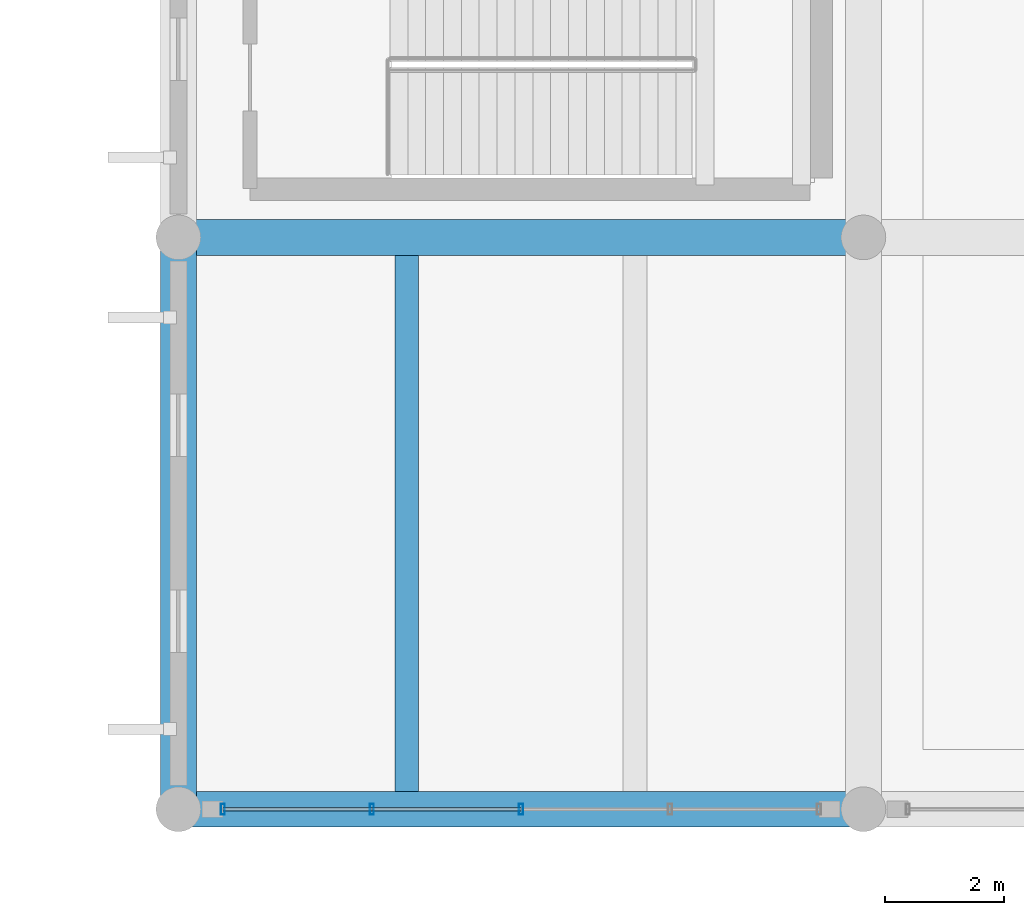
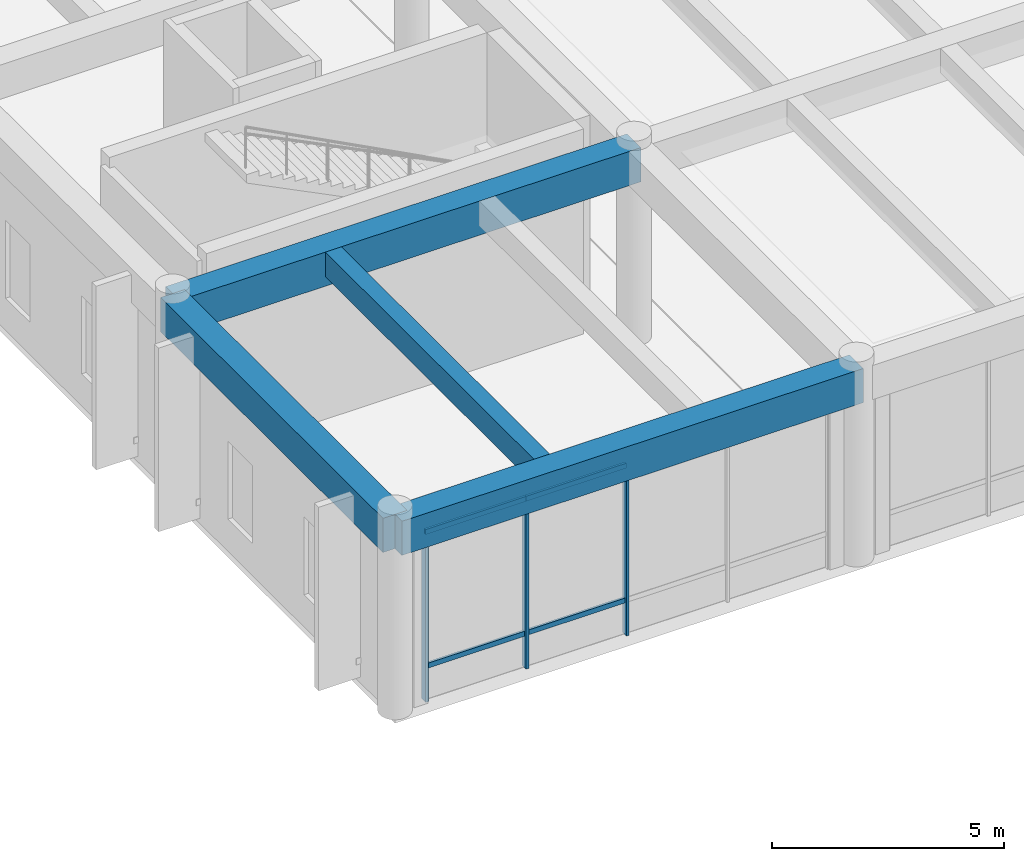
# One storey, part 14 of 148: 7 members, 4 beams, 1 element without a shape of its own.
"""IFC4 building model written with IfcOpenShell, lengths in metres."""

from ifc_helpers import new_model, si_unit, direction, frame, origin, origin_2d, place, context, subcontext, project, spatial, rectangle, hollow_rectangle, extrude, material, material_profile, profile_set, type_object, element, aggregate, save


model = new_model("IFC4")

# Units and contexts
model_context = context("Model", 3, precision=1e-05, world=origin(), true_north=direction((0.0, 1.0)))
body_context = subcontext(model_context, "Body", "Model", "MODEL_VIEW")
ifc_project = project(units=[si_unit("LENGTHUNIT", "METRE"), si_unit("AREAUNIT", "SQUARE_METRE"), si_unit("VOLUMEUNIT", "CUBIC_METRE"), si_unit("PLANEANGLEUNIT", "RADIAN"), si_unit("MASSUNIT", "GRAM", prefix="KILO")], contexts=[model_context])

# Site, building, storey
site_placement = place(None, origin())
site = spatial("IfcSite", under=ifc_project, at=site_placement, CompositionType="ELEMENT")
building_placement = place(site_placement, origin())
building = spatial("IfcBuilding", under=site, at=building_placement, Name="Ologun Quay Terminus", CompositionType="ELEMENT")
storey_placement = place(building_placement, frame((0.0, 0.0, 8.39990234375)))
storey = spatial("IfcBuildingStorey", under=building, at=storey_placement, Name="L02", CompositionType="ELEMENT", Elevation=8.39990234375)

# Curtain wall, members
ifc_material_1 = material(Name="Aluminium 6063-T6", Category="aluminium")
curtain_wall_type = type_object("IfcCurtainWallType", Name="Concourse Departure Curtain Wall 10700x4950", PredefinedType="USERDEFINED", material=ifc_material_1)
curtain_wall_placement = place(storey_placement, origin())
curtain_wall = element("IfcCurtainWall", 1, at=curtain_wall_placement, inside=storey, type_object=curtain_wall_type, Name="CW-05 Curtain Wall CW-L02-024", ObjectType="UNITISED CURTAIN WALL", PredefinedType="USERDEFINED")
ifc_material_2 = material(Name="Aluminium 6063-T6", Category="aluminium")
ifc_material_profile_1 = material_profile(ifc_material_2, hollow_rectangle(XDim=0.070068359375, YDim=0.179931640625, WallThickness=0.0048828125, at=origin_2d()), Name="ALU 180x70x5")
ifc_profile_set_1 = profile_set([ifc_material_profile_1], Name="Aluminium 6063-T6")
member_type_1 = type_object("IfcMemberType", Name="Curtain Wall Heavy Mullion 180x70", PredefinedType="MULLION", material=ifc_profile_set_1)
member_1_placement = place(storey_placement, frame((58.2451171875, 8.0, 0.0), z_axis=(0.0, 0.0, 1.0), x_axis=(1.0, 0.0, 0.0)))
member_1 = element("IfcMember", 2, at=member_1_placement, type_object=member_type_1, Name="CW-L02-024 Mullion 1", PredefinedType="MULLION", context=body_context, shape_type="SweptSolid", body=[
    extrude(hollow_rectangle(XDim=0.070068359375, YDim=0.179931640625, WallThickness=0.0048828125, at=origin_2d()), origin(), (0.0, 0.0, 1.0), 5.14013671875),
])
member_2_placement = place(storey_placement, frame((60.74755859375, 8.0, 0.0), z_axis=(0.0, 0.0, 1.0), x_axis=(1.0, 0.0, 0.0)))
member_2 = element("IfcMember", 3, at=member_2_placement, type_object=member_type_1, Name="CW-L02-024 Mullion 2", PredefinedType="MULLION", context=body_context, shape_type="SweptSolid", body=[
    extrude(hollow_rectangle(XDim=0.070068359375, YDim=0.179931640625, WallThickness=0.0048828125, at=origin_2d()), origin(), (0.0, 0.0, 1.0), 5.14013671875),
])
member_3_placement = place(storey_placement, frame((63.25, 8.0, 0.0), z_axis=(0.0, 0.0, 1.0), x_axis=(1.0, 0.0, 0.0)))
member_3 = element("IfcMember", 4, at=member_3_placement, type_object=member_type_1, Name="CW-L02-024 Mullion 3", PredefinedType="MULLION", context=body_context, shape_type="SweptSolid", body=[
    extrude(hollow_rectangle(XDim=0.070068359375, YDim=0.179931640625, WallThickness=0.0048828125, at=origin_2d()), origin(), (0.0, 0.0, 1.0), 5.14013671875),
])
ifc_material_3 = material(Name="Aluminium 6063-T6", Category="aluminium")
ifc_material_profile_2 = material_profile(ifc_material_3, hollow_rectangle(XDim=0.06005859375, YDim=0.1298828125, WallThickness=0.00390625, at=origin_2d()), Name="ALU 130x60x4")
ifc_profile_set_2 = profile_set([ifc_material_profile_2], Name="Aluminium 6063-T6")
member_type_2 = type_object("IfcMemberType", Name="Curtain Wall Heavy Transom 130x60", PredefinedType="USERDEFINED", material=ifc_profile_set_2)
member_4_placement = place(storey_placement, frame((58.2451171875, 8.0, 0.900146484375), z_axis=(1.0, 0.0, 0.0), x_axis=(0.0, 1.0, 0.0)))
member_4 = element("IfcMember", 5, at=member_4_placement, type_object=member_type_2, Name="CW-L02-024 Transom B1-1", ObjectType="TRANSOM", PredefinedType="USERDEFINED", context=body_context, shape_type="SweptSolid", body=[
    extrude(hollow_rectangle(XDim=0.06005859375, YDim=0.1298828125, WallThickness=0.00390625, at=origin_2d()), origin(), (0.0, 0.0, 1.0), 2.50244140625),
])
member_5_placement = place(storey_placement, frame((58.2451171875, 8.0, 4.440185546875), z_axis=(1.0, 0.0, 0.0), x_axis=(0.0, 1.0, 0.0)))
member_5 = element("IfcMember", 6, at=member_5_placement, type_object=member_type_2, Name="CW-L02-024 Transom B1-2", ObjectType="TRANSOM", PredefinedType="USERDEFINED", context=body_context, shape_type="SweptSolid", body=[
    extrude(hollow_rectangle(XDim=0.06005859375, YDim=0.1298828125, WallThickness=0.00390625, at=origin_2d()), origin(), (0.0, 0.0, 1.0), 2.50244140625),
])
member_6_placement = place(storey_placement, frame((60.74755859375, 8.0, 0.900146484375), z_axis=(1.0, 0.0, 0.0), x_axis=(0.0, 1.0, 0.0)))
member_6 = element("IfcMember", 7, at=member_6_placement, type_object=member_type_2, Name="CW-L02-024 Transom B2-1", ObjectType="TRANSOM", PredefinedType="USERDEFINED", context=body_context, shape_type="SweptSolid", body=[
    extrude(hollow_rectangle(XDim=0.06005859375, YDim=0.1298828125, WallThickness=0.00390625, at=origin_2d()), origin(), (0.0, 0.0, 1.0), 2.50244140625),
])
member_7_placement = place(storey_placement, frame((60.74755859375, 8.0, 4.440185546875), z_axis=(1.0, 0.0, 0.0), x_axis=(0.0, 1.0, 0.0)))
member_7 = element("IfcMember", 8, at=member_7_placement, type_object=member_type_2, Name="CW-L02-024 Transom B2-2", ObjectType="TRANSOM", PredefinedType="USERDEFINED", context=body_context, shape_type="SweptSolid", body=[
    extrude(hollow_rectangle(XDim=0.06005859375, YDim=0.1298828125, WallThickness=0.00390625, at=origin_2d()), origin(), (0.0, 0.0, 1.0), 2.50244140625),
])
aggregate(curtain_wall, [member_1, member_2, member_3, member_4, member_5, member_6, member_7])

# Beams
ifc_material_4 = material(Name="Concrete C40/50", Category="concrete")
ifc_material_profile_3 = material_profile(ifc_material_4, rectangle(XDim=0.60009765625, YDim=0.89990234375, at=origin_2d()), Name="RC 600x900")
ifc_profile_set_3 = profile_set([ifc_material_profile_3], Name="Concrete C40/50")
beam_type_1 = type_object("IfcBeamType", Name="Station Frame Girder 600x900", PredefinedType="BEAM", material=ifc_profile_set_3)
for number, where, z_axis, x_axis, name in (
    (9, (57.5, 8.0, 4.7001953125), (1.0, 0.0, 0.0), (0.0, 1.0, 0.0), "B3 Beam 6/B L02"),
    (10, (57.5, 17.60009765625, 4.7001953125), (1.0, 0.0, 0.0), (0.0, 1.0, 0.0), "B3 Beam 6/C L02"),
):
    element("IfcBeam", number, at=place(storey_placement, frame(where, z_axis=z_axis, x_axis=x_axis)), inside=storey, type_object=beam_type_1, Name=name, PredefinedType="BEAM", context=body_context, shape_type="SweptSolid", body=[
        extrude(rectangle(XDim=0.60009765625, YDim=0.89990234375, at=origin_2d()), origin(), (0.0, 0.0, 1.0), 11.5),
    ])
beam_1_placement = place(storey_placement, frame((57.5, 8.0, 4.7001953125), z_axis=(0.0, 1.0, 0.0), x_axis=(-1.0, 0.0, 0.0)))
element("IfcBeam", 11, at=beam_1_placement, inside=storey, type_object=beam_type_1, Name="B3 Beam 6/B L02", PredefinedType="BEAM", context=body_context, shape_type="SweptSolid", body=[
    extrude(rectangle(XDim=0.60009765625, YDim=0.89990234375, at=origin_2d()), origin(), (0.0, 0.0, 1.0), 9.60009765625),
])
ifc_material_5 = material(Name="Concrete C40/50", Category="concrete")
ifc_material_profile_4 = material_profile(ifc_material_5, rectangle(XDim=0.39990234375, YDim=0.64990234375, at=origin_2d()), Name="RC 400x650")
ifc_profile_set_4 = profile_set([ifc_material_profile_4], Name="Concrete C40/50")
beam_type_2 = type_object("IfcBeamType", Name="Station Secondary Joist 400x650", PredefinedType="JOIST", material=ifc_profile_set_4)
beam_2_placement = place(storey_placement, frame((61.333251953125, 8.300048828125, 4.8251953125), z_axis=(0.0, 1.0, 0.0), x_axis=(-1.0, 0.0, 0.0)))
element("IfcBeam", 12, at=beam_2_placement, inside=storey, type_object=beam_type_2, Name="J1 Beam 6/B L02", PredefinedType="JOIST", context=body_context, shape_type="SweptSolid", body=[
    extrude(rectangle(XDim=0.39990234375, YDim=0.64990234375, at=origin_2d()), origin(), (0.0, 0.0, 1.0), 9.0),
])

save(model, "model.ifc")
